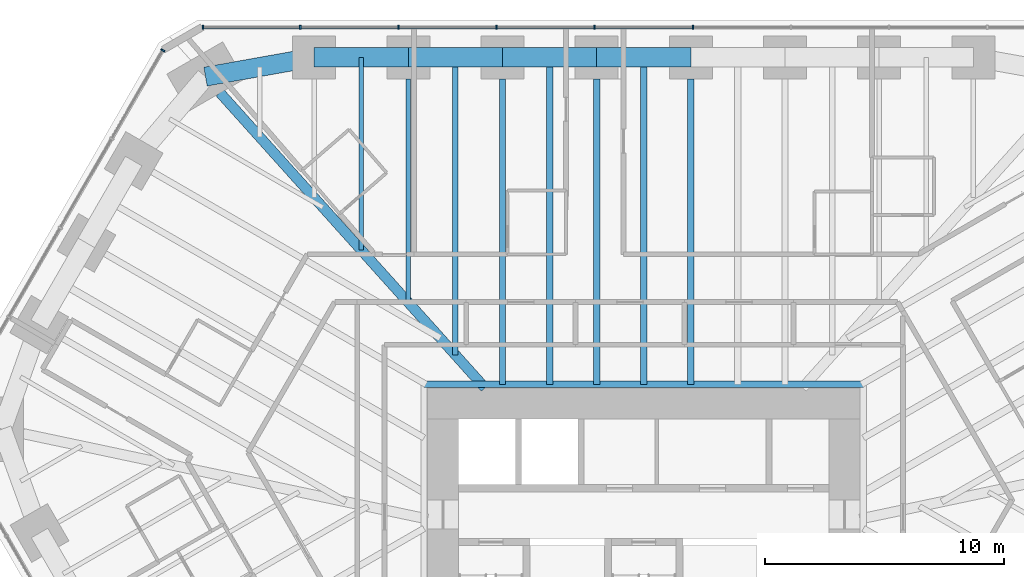
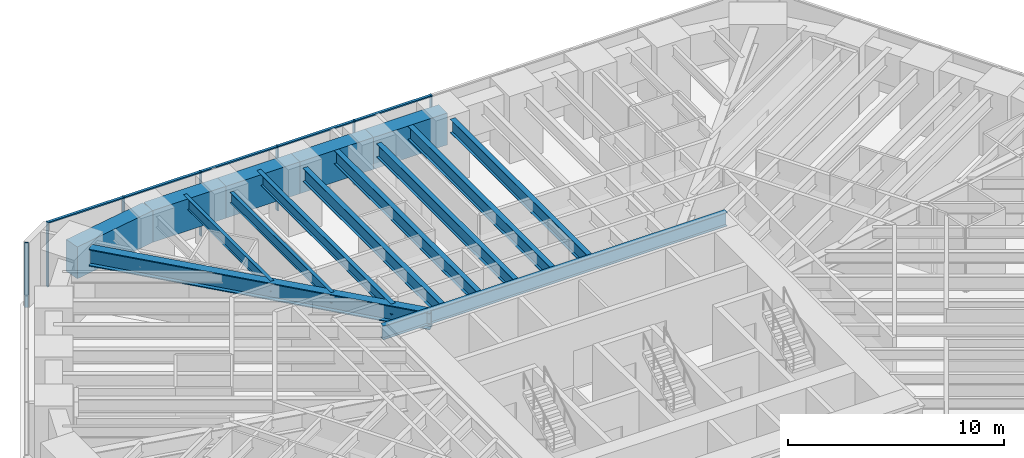
# One storey, part 8 of 17: 15 beams, 12 members, 2 elements without a shape of their own.
"""IFC4 building model written with IfcOpenShell, lengths in metres."""

from ifc_helpers import new_model, si_unit, direction, frame, origin, origin_2d, place, context, subcontext, project, spatial, rectangle, i_section, extrude, material, material_profile, profile_set, type_object, element, aggregate, save


model = new_model("IFC4")

# Units and contexts
model_context = context("Model", 3, precision=1e-05, world=origin(), true_north=direction((0.0, 1.0)))
body_context = subcontext(model_context, "Body", "Model", "MODEL_VIEW")
ifc_project = project(units=[si_unit("LENGTHUNIT", "METRE"), si_unit("AREAUNIT", "SQUARE_METRE"), si_unit("VOLUMEUNIT", "CUBIC_METRE"), si_unit("PLANEANGLEUNIT", "RADIAN"), si_unit("MASSUNIT", "GRAM", prefix="KILO")], contexts=[model_context])

# Site, building, storey
site_placement = place(None, origin())
site = spatial("IfcSite", under=ifc_project, at=site_placement, CompositionType="ELEMENT")
building_placement = place(site_placement, origin())
building = spatial("IfcBuilding", under=site, at=building_placement, Name="Sandreach Pilgrim Tower", CompositionType="ELEMENT")
storey_placement = place(building_placement, frame((0.0, 0.0, 142.39990234375)))
storey = spatial("IfcBuildingStorey", under=building, at=storey_placement, Name="L35", CompositionType="ELEMENT", Elevation=142.39990234375)

# Curtain wall, members
ifc_material_1 = material(Name="Aluminium framed curtain wall", Category="aluminium")
curtain_wall_type = type_object("IfcCurtainWallType", Name="Hotel tower curtain wall", PredefinedType="NOTDEFINED", material=ifc_material_1)
curtain_wall_1_placement = place(storey_placement, origin())
curtain_wall_1 = element("IfcCurtainWall", 1, at=curtain_wall_1_placement, inside=storey, type_object=curtain_wall_type, Name="CW-2 L35 N", PredefinedType="NOTDEFINED")
ifc_material_2 = material(Name="Aluminium extrusion", Category="aluminium")
ifc_material_profile_1 = material_profile(ifc_material_2, rectangle(XDim=0.06494140625, YDim=0.179931640625, at=origin_2d()), Name="CW-2M 65X180")
ifc_profile_set_1 = profile_set([ifc_material_profile_1], Name="Aluminium extrusion")
member_type_1 = type_object("IfcMemberType", Name="CW-2 mullion", PredefinedType="MULLION", material=ifc_profile_set_1)
member_1_placement = place(storey_placement, frame((-18.448974609375, 22.493896484375, 0.0), z_axis=(0.0, 0.0, 1.0), x_axis=(1.0, 0.0, 0.0)))
member_1 = element("IfcMember", 2, at=member_1_placement, type_object=member_type_1, Name="CW-2 mullion 1", PredefinedType="MULLION", context=body_context, shape_type="SweptSolid", body=[
    extrude(rectangle(XDim=0.06494140625, YDim=0.179931640625, at=origin_2d()), origin(), (0.0, 0.0, 1.0), 3.64013671875),
])
member_2_placement = place(storey_placement, frame((-14.37451171875, 22.493896484375, 0.0), z_axis=(0.0, 0.0, 1.0), x_axis=(1.0, 0.0, 0.0)))
member_2 = element("IfcMember", 3, at=member_2_placement, type_object=member_type_1, Name="CW-2 mullion 2", PredefinedType="MULLION", context=body_context, shape_type="SweptSolid", body=[
    extrude(rectangle(XDim=0.06494140625, YDim=0.179931640625, at=origin_2d()), origin(), (0.0, 0.0, 1.0), 3.64013671875),
])
member_3_placement = place(storey_placement, frame((-10.267333984375, 22.493896484375, 0.0), z_axis=(0.0, 0.0, 1.0), x_axis=(1.0, 0.0, 0.0)))
member_3 = element("IfcMember", 4, at=member_3_placement, type_object=member_type_1, Name="CW-2 mullion 3", PredefinedType="MULLION", context=body_context, shape_type="SweptSolid", body=[
    extrude(rectangle(XDim=0.06494140625, YDim=0.179931640625, at=origin_2d()), origin(), (0.0, 0.0, 1.0), 3.64013671875),
])
member_4_placement = place(storey_placement, frame((-6.160400390625, 22.493896484375, 0.0), z_axis=(0.0, 0.0, 1.0), x_axis=(1.0, 0.0, 0.0)))
member_4 = element("IfcMember", 5, at=member_4_placement, type_object=member_type_1, Name="CW-2 mullion 4", PredefinedType="MULLION", context=body_context, shape_type="SweptSolid", body=[
    extrude(rectangle(XDim=0.06494140625, YDim=0.179931640625, at=origin_2d()), origin(), (0.0, 0.0, 1.0), 3.64013671875),
])
member_5_placement = place(storey_placement, frame((-2.053466796875, 22.493896484375, 0.0), z_axis=(0.0, 0.0, 1.0), x_axis=(1.0, 0.0, 0.0)))
member_5 = element("IfcMember", 6, at=member_5_placement, type_object=member_type_1, Name="CW-2 mullion 5", PredefinedType="MULLION", context=body_context, shape_type="SweptSolid", body=[
    extrude(rectangle(XDim=0.06494140625, YDim=0.179931640625, at=origin_2d()), origin(), (0.0, 0.0, 1.0), 3.64013671875),
])
member_6_placement = place(storey_placement, frame((2.053466796875, 22.493896484375, 0.0), z_axis=(0.0, 0.0, 1.0), x_axis=(1.0, 0.0, 0.0)))
member_6 = element("IfcMember", 7, at=member_6_placement, type_object=member_type_1, Name="CW-2 mullion 6", PredefinedType="MULLION", context=body_context, shape_type="SweptSolid", body=[
    extrude(rectangle(XDim=0.06494140625, YDim=0.179931640625, at=origin_2d()), origin(), (0.0, 0.0, 1.0), 3.64013671875),
])

# Curtain wall, member
curtain_wall_2_placement = place(storey_placement, origin())
curtain_wall_2 = element("IfcCurtainWall", 8, at=curtain_wall_2_placement, inside=storey, type_object=curtain_wall_type, Name="CW-2 L35 NW", PredefinedType="NOTDEFINED")
member_7_placement = place(storey_placement, frame((-20.125732421875, 21.525634765625, 0.0), z_axis=(0.0, 0.0, 1.0), x_axis=(0.5, 0.866025403784, 0.0)))
member_7 = element("IfcMember", 9, at=member_7_placement, type_object=member_type_1, Name="CW-2 mullion 5", PredefinedType="MULLION", context=body_context, shape_type="SweptSolid", body=[
    extrude(rectangle(XDim=0.06494140625, YDim=0.179931640625, at=origin_2d()), origin(), (0.0, 0.0, 1.0), 3.64013671875),
])
aggregate(curtain_wall_2, [member_7])

# Member
ifc_material_3 = material(Name="Aluminium extrusion", Category="aluminium")
ifc_material_profile_2 = material_profile(ifc_material_3, rectangle(XDim=0.139892578125, YDim=0.070068359375, at=origin_2d()), Name="CW-2T 140X70")
ifc_profile_set_2 = profile_set([ifc_material_profile_2], Name="Aluminium extrusion")
member_type_2 = type_object("IfcMemberType", Name="CW-2 transom", PredefinedType="USERDEFINED", material=ifc_profile_set_2)
member_8_placement = place(storey_placement, frame((-18.416259765625, 22.493896484375, 3.60498046875), z_axis=(1.0, 0.0, 0.0), x_axis=(0.0, 1.0, 0.0)))
member_8 = element("IfcMember", 10, at=member_8_placement, type_object=member_type_2, Name="CW-2 head transom 1", ObjectType="TRANSOM", PredefinedType="USERDEFINED", context=body_context, shape_type="SweptSolid", body=[
    extrude(rectangle(XDim=0.139892578125, YDim=0.070068359375, at=origin_2d()), origin(), (0.0, 0.0, 1.0), 4.00927734375),
])

member_9_placement = place(storey_placement, frame((-14.341796875, 22.493896484375, 3.60498046875), z_axis=(1.0, 0.0, 0.0), x_axis=(0.0, 1.0, 0.0)))
member_9 = element("IfcMember", 11, at=member_9_placement, type_object=member_type_2, Name="CW-2 head transom 2", ObjectType="TRANSOM", PredefinedType="USERDEFINED", context=body_context, shape_type="SweptSolid", body=[
    extrude(rectangle(XDim=0.139892578125, YDim=0.070068359375, at=origin_2d()), origin(), (0.0, 0.0, 1.0), 4.041748046875),
])

member_10_placement = place(storey_placement, frame((-10.23486328125, 22.493896484375, 3.60498046875), z_axis=(1.0, 0.0, 0.0), x_axis=(0.0, 1.0, 0.0)))
member_10 = element("IfcMember", 12, at=member_10_placement, type_object=member_type_2, Name="CW-2 head transom 3", ObjectType="TRANSOM", PredefinedType="USERDEFINED", context=body_context, shape_type="SweptSolid", body=[
    extrude(rectangle(XDim=0.139892578125, YDim=0.070068359375, at=origin_2d()), origin(), (0.0, 0.0, 1.0), 4.0419921875),
])

member_11_placement = place(storey_placement, frame((-6.1279296875, 22.493896484375, 3.60498046875), z_axis=(1.0, 0.0, 0.0), x_axis=(0.0, 1.0, 0.0)))
member_11 = element("IfcMember", 13, at=member_11_placement, type_object=member_type_2, Name="CW-2 head transom 4", ObjectType="TRANSOM", PredefinedType="USERDEFINED", context=body_context, shape_type="SweptSolid", body=[
    extrude(rectangle(XDim=0.139892578125, YDim=0.070068359375, at=origin_2d()), origin(), (0.0, 0.0, 1.0), 4.0419921875),
])

member_12_placement = place(storey_placement, frame((-2.02099609375, 22.493896484375, 3.60498046875), z_axis=(1.0, 0.0, 0.0), x_axis=(0.0, 1.0, 0.0)))
member_12 = element("IfcMember", 14, at=member_12_placement, type_object=member_type_2, Name="CW-2 head transom 5", ObjectType="TRANSOM", PredefinedType="USERDEFINED", context=body_context, shape_type="SweptSolid", body=[
    extrude(rectangle(XDim=0.139892578125, YDim=0.070068359375, at=origin_2d()), origin(), (0.0, 0.0, 1.0), 4.0419921875),
])

aggregate(curtain_wall_1, [member_1, member_2, member_3, member_4, member_5, member_6, member_8, member_9, member_10, member_11, member_12])

# Beams
ifc_material_4 = material(Name="Steel ASTM A992 Grade 50", Category="steel")
ifc_material_profile_3 = material_profile(ifc_material_4, i_section(OverallWidth=0.2666015625, OverallDepth=0.77978515625, WebThickness=0.0166015625, FlangeThickness=0.030029296875, at=origin_2d()), Name="W30X148")
ifc_profile_set_3 = profile_set([ifc_material_profile_3], Name="Steel ASTM A992 Grade 50")
beam_type_1 = type_object("IfcBeamType", Name="Core edge beam W30X148", PredefinedType="BEAM", material=ifc_profile_set_3)
beam_1_placement = place(storey_placement, frame((-9.193359375, 7.54345703125, 3.250244140625), z_axis=(1.0, 0.0, 0.0), x_axis=(0.0, 1.0, 0.0)))
element("IfcBeam", 15, at=beam_1_placement, inside=storey, type_object=beam_type_1, Name="BM L35 CEN", PredefinedType="BEAM", context=body_context, shape_type="SweptSolid", body=[
    extrude(i_section(OverallWidth=0.2666015625, OverallDepth=0.77978515625, WebThickness=0.0166015625, FlangeThickness=0.030029296875, at=origin_2d()), origin(), (0.0, 0.0, 1.0), 18.38671875),
])
ifc_material_5 = material(Name="Steel ASTM A992 Grade 50", Category="steel")
ifc_material_profile_4 = material_profile(ifc_material_5, i_section(OverallWidth=0.424072265625, OverallDepth=0.965087890625, WebThickness=0.028564453125, FlangeThickness=0.051025390625, at=origin_2d()), Name="W36X361")
ifc_profile_set_4 = profile_set([ifc_material_profile_4], Name="Steel ASTM A992 Grade 50")
beam_type_2 = type_object("IfcBeamType", Name="Corner girder W36X361", PredefinedType="BEAM", material=ifc_profile_set_4)
beam_2_placement = place(storey_placement, frame((-17.738037109375, 19.754150390625, 3.157470703125), z_axis=(0.66811374471, -0.74405915365, 0.0), x_axis=(0.74405915365, 0.66811374471, 0.0)))
element("IfcBeam", 16, at=beam_2_placement, inside=storey, type_object=beam_type_2, Name="BM L35 CG39", PredefinedType="BEAM", context=body_context, shape_type="SweptSolid", body=[
    extrude(i_section(OverallWidth=0.424072265625, OverallDepth=0.965087890625, WebThickness=0.028564453125, FlangeThickness=0.051025390625, at=origin_2d()), origin(), (0.0, 0.0, 1.0), 16.603759765625),
])
ifc_material_6 = material(Name="Steel ASTM A992 Grade 50", Category="steel")
ifc_material_profile_5 = material_profile(ifc_material_6, i_section(OverallWidth=0.1787109375, OverallDepth=0.60205078125, WebThickness=0.010986328125, FlangeThickness=0.014892578125, at=origin_2d()), Name="W24X62")
ifc_profile_set_5 = profile_set([ifc_material_profile_5], Name="Steel ASTM A992 Grade 50")
beam_type_3 = type_object("IfcBeamType", Name="Floor beam W24X62", PredefinedType="BEAM", material=ifc_profile_set_5)
beam_3_placement = place(storey_placement, frame((-9.849853515625, 20.333740234375, 3.339111328125), z_axis=(0.0, -1.0, 0.0), x_axis=(1.0, 0.0, 0.0)))
element("IfcBeam", 17, at=beam_3_placement, inside=storey, type_object=beam_type_3, Name="BM L35 F02", PredefinedType="BEAM", context=body_context, shape_type="SweptSolid", body=[
    extrude(i_section(OverallWidth=0.1787109375, OverallDepth=0.60205078125, WebThickness=0.010986328125, FlangeThickness=0.014892578125, at=origin_2d()), origin(), (0.0, 0.0, 1.0), 9.3642578125),
])
beam_4_placement = place(storey_placement, frame((-11.81982421875, 21.23388671875, 3.339111328125), z_axis=(0.0, -1.0, 0.0), x_axis=(1.0, 0.0, 0.0)))
element("IfcBeam", 18, at=beam_4_placement, inside=storey, type_object=beam_type_3, Name="BM L35 FM01", PredefinedType="BEAM", context=body_context, shape_type="SweptSolid", body=[
    extrude(i_section(OverallWidth=0.1787109375, OverallDepth=0.60205078125, WebThickness=0.010986328125, FlangeThickness=0.014892578125, at=origin_2d()), origin(), (0.0, 0.0, 1.0), 8.070556640625),
])
ifc_material_7 = material(Name="Steel ASTM A992 Grade 50", Category="steel")
ifc_material_profile_6 = material_profile(ifc_material_7, i_section(OverallWidth=0.23046875, OverallDepth=0.6171875, WebThickness=0.01318359375, FlangeThickness=0.022216796875, at=origin_2d()), Name="W24X94")
ifc_profile_set_6 = profile_set([ifc_material_profile_6], Name="Steel ASTM A992 Grade 50")
beam_type_4 = type_object("IfcBeamType", Name="Floor beam W24X94", PredefinedType="BEAM", material=ifc_profile_set_6)
beam_5_placement = place(storey_placement, frame((-7.8798828125, 21.23388671875, 3.33154296875), z_axis=(0.0, -1.0, 0.0), x_axis=(1.0, 0.0, 0.0)))
element("IfcBeam", 19, at=beam_5_placement, inside=storey, type_object=beam_type_4, Name="BM L35 FM02", PredefinedType="BEAM", context=body_context, shape_type="SweptSolid", body=[
    extrude(i_section(OverallWidth=0.23046875, OverallDepth=0.6171875, WebThickness=0.01318359375, FlangeThickness=0.022216796875, at=origin_2d()), origin(), (0.0, 0.0, 1.0), 12.458251953125),
])
ifc_material_8 = material(Name="Steel ASTM A992 Grade 50", Category="steel")
ifc_material_profile_7 = material_profile(ifc_material_8, i_section(OverallWidth=0.2666015625, OverallDepth=0.761962890625, WebThickness=0.014404296875, FlangeThickness=0.021484375, at=origin_2d()), Name="W30X116")
ifc_profile_set_7 = profile_set([ifc_material_profile_7], Name="Steel ASTM A992 Grade 50")
beam_type_5 = type_object("IfcBeamType", Name="Floor beam W30X116", PredefinedType="BEAM", material=ifc_profile_set_7)
for number, where, z_axis, x_axis, name in (
    (20, (-5.909912109375, 20.333740234375, 3.259033203125), (0.0, -1.0, 0.0), (1.0, 0.0, 0.0), "BM L35 F03"),
    (21, (-1.969970703125, 20.333740234375, 3.259033203125), (0.0, -1.0, 0.0), (1.0, 0.0, 0.0), "BM L35 F04"),
    (22, (1.969970703125, 20.333740234375, 3.259033203125), (0.0, -1.0, 0.0), (1.0, 0.0, 0.0), "BM L35 F05"),
):
    element("IfcBeam", number, at=place(storey_placement, frame(where, z_axis=z_axis, x_axis=x_axis)), inside=storey, type_object=beam_type_5, Name=name, PredefinedType="BEAM", context=body_context, shape_type="SweptSolid", body=[
        extrude(i_section(OverallWidth=0.2666015625, OverallDepth=0.761962890625, WebThickness=0.014404296875, FlangeThickness=0.021484375, at=origin_2d()), origin(), (0.0, 0.0, 1.0), 12.790283203125),
    ])
for number, where, z_axis, x_axis, name in (
    (23, (-3.93994140625, 21.23388671875, 3.259033203125), (0.0, -1.0, 0.0), (1.0, 0.0, 0.0), "BM L35 FM03"),
    (24, (0.0, 21.23388671875, 3.259033203125), (0.0, -1.0, 0.0), (1.0, 0.0, 0.0), "BM L35 FM04"),
):
    element("IfcBeam", number, at=place(storey_placement, frame(where, z_axis=z_axis, x_axis=x_axis)), inside=storey, type_object=beam_type_5, Name=name, PredefinedType="BEAM", context=body_context, shape_type="SweptSolid", body=[
        extrude(i_section(OverallWidth=0.2666015625, OverallDepth=0.761962890625, WebThickness=0.014404296875, FlangeThickness=0.021484375, at=origin_2d()), origin(), (0.0, 0.0, 1.0), 13.6904296875),
    ])
ifc_material_9 = material(Name="Concrete 10000 psi", Category="concrete")
ifc_material_profile_8 = material_profile(ifc_material_9, rectangle(XDim=0.800048828125, YDim=1.800048828125, at=origin_2d()), Name="RC800X1800")
ifc_profile_set_8 = profile_set([ifc_material_profile_8], Name="Concrete 10000 psi")
beam_type_6 = type_object("IfcBeamType", Name="Spandrel beam RC800X1800", PredefinedType="SPANDREL", material=ifc_profile_set_8)
for number, where, z_axis, x_axis, name in (
    (25, (-13.789794921875, 21.23388671875, 2.739990234375), (1.0, 0.0, 0.0), (0.0, 1.0, 0.0), "BM L35 SP01"),
    (26, (-9.849853515625, 21.23388671875, 2.739990234375), (1.0, 0.0, 0.0), (0.0, 1.0, 0.0), "BM L35 SP02"),
    (27, (-5.909912109375, 21.23388671875, 2.739990234375), (1.0, 0.0, 0.0), (0.0, 1.0, 0.0), "BM L35 SP03"),
    (28, (-1.969970703125, 21.23388671875, 2.739990234375), (1.0, 0.0, 0.0), (0.0, 1.0, 0.0), "BM L35 SP04"),
):
    element("IfcBeam", number, at=place(storey_placement, frame(where, z_axis=z_axis, x_axis=x_axis)), inside=storey, type_object=beam_type_6, Name=name, PredefinedType="SPANDREL", context=body_context, shape_type="SweptSolid", body=[
        extrude(rectangle(XDim=0.800048828125, YDim=1.800048828125, at=origin_2d()), origin(), (0.0, 0.0, 1.0), 3.93994140625),
    ])
beam_6_placement = place(storey_placement, frame((-18.33935546875, 20.423828125, 2.739990234375), z_axis=(0.984515938739, 0.175295083699, 0.0), x_axis=(-0.175295083699, 0.984515938739, 0.0)))
element("IfcBeam", 29, at=beam_6_placement, inside=storey, type_object=beam_type_6, Name="BM L35 SP39", PredefinedType="SPANDREL", context=body_context, shape_type="SweptSolid", body=[
    extrude(rectangle(XDim=0.800048828125, YDim=1.800048828125, at=origin_2d()), origin(), (0.0, 0.0, 1.0), 4.62109375),
])

save(model, "model.ifc")
